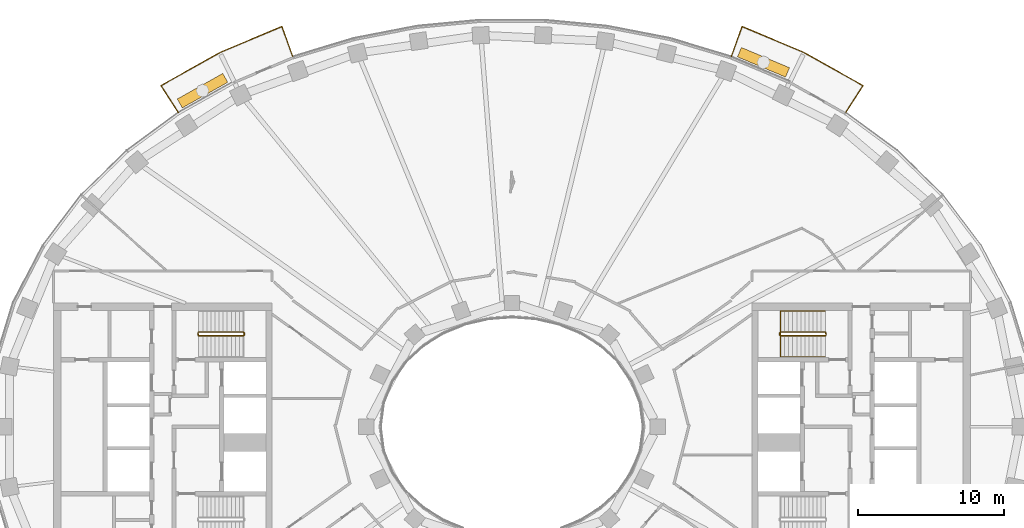
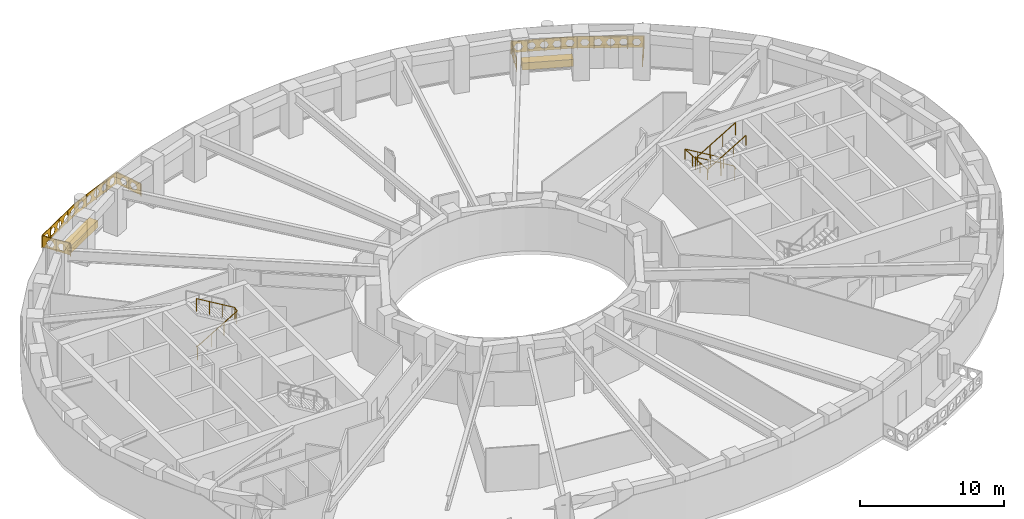
# One storey, part 14 of 15: 5 railings, 2 coverings.
"""IFC4 building model written with IfcOpenShell, lengths in metres."""

import ifcopenshell
import ifcopenshell.guid

model = None  # the IFC model being written
_history = None  # IfcOwnerHistory: only IFC2X3 demands one
_inside = {}  # id of a spatial element -> (the spatial element, [elements in it])
_under = {}  # id of a project, library or spatial element -> (it, [spatial elements below it])
_declared = {}  # id of a project -> (the project, [libraries it declares])
_typed = {}  # id of a type object -> (the type object, [elements of that type])
_made_of = {}  # id of a material, layer set ... -> (it, [elements and type objects made of it])


def new_model(schema):
    """Start an empty IFC model of exactly this schema.

    Asked for "IFC4X3", IfcOpenShell would pick the latest addendum, in which some entities
    have other attributes; the version numbers below select the first issue.
    IFC2X3 requires an IfcOwnerHistory on every rooted entity: one is made here for all.
    """
    global model, _history
    if schema == "IFC4X3":
        model = ifcopenshell.file(schema_version=(4, 3, 0, 0))
    else:
        model = ifcopenshell.file(schema=schema)
    _inside.clear()
    _under.clear()
    _declared.clear()
    _typed.clear()
    _made_of.clear()
    _history = None
    if model.schema == "IFC2X3":
        org = make("IfcOrganization", Name="unknown")
        user = make(
            "IfcPersonAndOrganization",
            ThePerson=make("IfcPerson", FamilyName="unknown"),
            TheOrganization=org,
        )
        app = make(
            "IfcApplication",
            ApplicationDeveloper=org,
            Version="unknown",
            ApplicationFullName="unknown",
            ApplicationIdentifier="unknown",
        )
        _history = make(
            "IfcOwnerHistory",
            OwningUser=user,
            OwningApplication=app,
            ChangeAction="ADDED",
            CreationDate=0,
        )
    return model


def make(cls, **values):
    """One entity of the class cls with the attributes given. An attribute that is None is left unset."""
    return model.create_entity(
        cls, **{name: value for name, value in values.items() if value is not None}
    )


def rooted(cls, **values):
    """An entity with a GlobalId (a new one), such as an element, a storey or a relation."""
    return make(cls, GlobalId=ifcopenshell.guid.new(), OwnerHistory=_history, **values)


def si_unit(unit_type, name, prefix=None):
    """IfcSIUnit, for example si_unit("LENGTHUNIT", "METRE", prefix="MILLI")."""
    return make("IfcSIUnit", UnitType=unit_type, Prefix=prefix, Name=name)


def assignment(units):
    """IfcUnitAssignment: the units of a project."""
    return None if units is None else make("IfcUnitAssignment", Units=units)


def point(xyz):
    """IfcCartesianPoint."""
    return None if xyz is None else make("IfcCartesianPoint", Coordinates=xyz)


def direction(xyz):
    """IfcDirection."""
    return None if xyz is None else make("IfcDirection", DirectionRatios=xyz)


def frame(location, z_axis=None, x_axis=None):
    """IfcAxis2Placement3D, a coordinate frame: its origin and axes. An axis left out is left unset."""
    return make(
        "IfcAxis2Placement3D",
        Location=point(location),
        Axis=direction(z_axis),
        RefDirection=direction(x_axis),
    )


def frame_2d(location, x_axis=None):
    """IfcAxis2Placement2D, a coordinate frame in the plane: its origin and x axis."""
    return make(
        "IfcAxis2Placement2D", Location=point(location), RefDirection=direction(x_axis)
    )


def origin():
    """The frame at (0, 0, 0) with its axes left unset."""
    return frame((0.0, 0.0, 0.0))


def origin_2d():
    """The frame at (0, 0) in the plane with its x axis left unset."""
    return frame_2d((0.0, 0.0))


def place(relative_to, where):
    """IfcLocalPlacement: puts the frame where relative to a parent placement (None: the world)."""
    return make(
        "IfcLocalPlacement", PlacementRelTo=relative_to, RelativePlacement=where
    )


def context(
    kind, dimensions, precision=None, world=None, true_north=None, identifier=None
):
    """IfcGeometricRepresentationContext, for example the 3D "Model" context."""
    return make(
        "IfcGeometricRepresentationContext",
        ContextIdentifier=identifier,
        ContextType=kind,
        CoordinateSpaceDimension=dimensions,
        Precision=precision,
        WorldCoordinateSystem=world,
        TrueNorth=true_north,
    )


def subcontext(parent, identifier, kind, view, scale=None):
    """IfcGeometricRepresentationSubContext, for example "Body" below "Model"."""
    return make(
        "IfcGeometricRepresentationSubContext",
        ContextIdentifier=identifier,
        ContextType=kind,
        ParentContext=parent,
        TargetScale=scale,
        TargetView=view,
    )


def project(units=None, contexts=None):
    """IfcProject with its units and contexts."""
    return rooted(
        "IfcProject",
        Name="project",
        RepresentationContexts=contexts,
        UnitsInContext=assignment(units),
    )


def spatial(cls, under=None, at=None, **own):
    """A site, building, storey or space (cls), placed at a placement, below another one or the project."""
    s = rooted(cls, ObjectPlacement=at, **own)
    if under is not None:
        _under.setdefault(under.id(), (under, []))[1].append(s)
    return s


def polyline(points):
    """IfcPolyline through the points."""
    return make("IfcPolyline", Points=[point(p) for p in points])


def profile(cls, at=None, kind="AREA", **sizes):
    """A parametric profile (cls). Its sizes go by their IFC names, for example OverallWidth=200.0."""
    return make(cls, ProfileType=kind, Position=at, **sizes)


def rectangle(**sizes):
    """IfcRectangleProfileDef."""
    return profile("IfcRectangleProfileDef", **sizes)


def outline(outer, holes=None, kind="AREA"):
    """IfcArbitraryClosedProfileDef: a profile drawn as a closed curve; with holes, ...WithVoids."""
    if holes is None:
        return make("IfcArbitraryClosedProfileDef", ProfileType=kind, OuterCurve=outer)
    return make(
        "IfcArbitraryProfileDefWithVoids",
        ProfileType=kind,
        OuterCurve=outer,
        InnerCurves=holes,
    )


def extrude(swept, where, along, depth):
    """IfcExtrudedAreaSolid: the profile swept, set in the frame where, extruded along a direction by depth."""
    return make(
        "IfcExtrudedAreaSolid",
        SweptArea=swept,
        Position=where,
        ExtrudedDirection=direction(along),
        Depth=depth,
    )


def shape(context_of_items, identifier, shape_type, items):
    """IfcShapeRepresentation: the items that make up one representation, for example the "Body"."""
    return make(
        "IfcShapeRepresentation",
        ContextOfItems=context_of_items,
        RepresentationIdentifier=identifier,
        RepresentationType=shape_type,
        Items=items,
    )


def material(Name=None, Category=None):
    """IfcMaterial."""
    return make("IfcMaterial", Name=Name, Category=Category)


def made_of(thing, what):
    """Note that an element or type object is made of a material, layer set ...; save() writes the relation."""
    if what is not None:
        _made_of.setdefault(what.id(), (what, []))[1].append(thing)
    return thing


def type_object(cls, material=None, **own):
    """A type object (cls), such as IfcWallType, which elements share."""
    return made_of(rooted(cls, **own), material)


def element(
    cls,
    number,
    at=None,
    inside=None,
    cuts=None,
    type_object=None,
    material=None,
    context=None,
    identifier="Body",
    shape_type=None,
    held_by="IfcProductDefinitionShape",
    body=None,
    shapes=None,
    **own,
):
    """One element of the class cls, such as IfcWall. Its Tag is "e" and its number.

    at: its placement. inside: the storey or other place that contains it. cuts: it is an
    opening in that element (IfcRelVoidsElement). A single representation is given by context,
    identifier, shape_type and body (its items); several are given by shapes. held_by: the class
    of the entity that holds the representations. save() writes the other relations.
    """
    e = rooted(cls, Tag="e%d" % number, ObjectPlacement=at, **own)
    if body is not None:
        shapes = [shape(context, identifier, shape_type, body)]
    if shapes is not None:
        e.Representation = make(held_by, Representations=shapes)
    if inside is not None:
        _inside.setdefault(inside.id(), (inside, []))[1].append(e)
    if cuts is not None:
        rooted(
            "IfcRelVoidsElement", RelatingBuildingElement=cuts, RelatedOpeningElement=e
        )
    if type_object is not None:
        _typed.setdefault(type_object.id(), (type_object, []))[1].append(e)
    return made_of(e, material)


def aggregate(whole, parts):
    """IfcRelAggregates: a whole, such as a stair, and the parts it consists of."""
    return rooted("IfcRelAggregates", RelatingObject=whole, RelatedObjects=parts)


def save(model, path):
    """Write the relations noted so far, then the file.

    IfcRelAggregates (storeys below a building ...), IfcRelContainedInSpatialStructure (elements
    in a storey), IfcRelDefinesByType, IfcRelAssociatesMaterial and IfcRelDeclares: one each for
    every whole, place, type object, material and project.
    """
    for whole, parts in _under.values():
        aggregate(whole, parts)
    for where, things in _inside.values():
        rooted(
            "IfcRelContainedInSpatialStructure",
            RelatedElements=things,
            RelatingStructure=where,
        )
    for kind, things in _typed.values():
        rooted("IfcRelDefinesByType", RelatedObjects=things, RelatingType=kind)
    for what, things in _made_of.values():
        rooted("IfcRelAssociatesMaterial", RelatedObjects=things, RelatingMaterial=what)
    for by, libraries in _declared.values():
        rooted("IfcRelDeclares", RelatingContext=by, RelatedDefinitions=libraries)
    model.write(path)


model = new_model("IFC4")

# Units and contexts
model_context = context("Model", 3, precision=1e-05, world=origin(), true_north=direction((0.0, 1.0)))
body_context = subcontext(model_context, "Body", "Model", "MODEL_VIEW")
ifc_project = project(units=[si_unit("LENGTHUNIT", "METRE"), si_unit("AREAUNIT", "SQUARE_METRE"), si_unit("VOLUMEUNIT", "CUBIC_METRE"), si_unit("PLANEANGLEUNIT", "RADIAN"), si_unit("MASSUNIT", "GRAM", prefix="KILO")], contexts=[model_context])

# Site, building, storey
site_placement = place(None, origin())
site = spatial("IfcSite", under=ifc_project, at=site_placement, CompositionType="ELEMENT")
building_placement = place(site_placement, origin())
building = spatial("IfcBuilding", under=site, at=building_placement, Name="Noorbagh Ring Tower", CompositionType="ELEMENT")
storey_placement = place(building_placement, frame((0.0, 0.0, 182.0)))
storey = spatial("IfcBuildingStorey", under=building, at=storey_placement, Name="L42", CompositionType="ELEMENT", Elevation=182.0)

# Railings
ifc_material_1 = material(Name="Stainless steel", Category="steel")
railing_type_1 = type_object("IfcRailingType", Name="CORE-STAIR-GUARD", PredefinedType="GUARDRAIL", material=ifc_material_1)
railing_1_placement = place(storey_placement, frame((-21.580078125, 6.300048828125, 0.0)))
element("IfcRailing", 1, at=railing_1_placement, inside=storey, type_object=railing_type_1, Name="L42 ST1 stair guard", PredefinedType="GUARDRAIL", context=body_context, shape_type="SweptSolid", body=[
    extrude(rectangle(XDim=0.048095703125, YDim=0.048095703125, at=origin_2d()), frame((0.0, 0.0, 1.076171875), z_axis=(0.0, 1.0, 0.0), x_axis=(-1.0, 0.0, 0.0)), (0.0, 0.0, 1.0), 0.14990234375),
    extrude(rectangle(XDim=0.048095703125, YDim=0.048095703125, at=origin_2d()), frame((0.0, 0.14990234375, 1.076171875), z_axis=(0.188775798145, -0.754182335027, 0.628945707965), x_axis=(0.970072785993, 0.242814311512, 0.0)), (0.0, 0.0, 1.0), 0.26513671875),
    extrude(rectangle(XDim=0.048095703125, YDim=0.048095703125, at=origin_2d()), frame((0.050048828125, -0.050048828125, 1.24267578125), z_axis=(0.859308565015, 0.0, 0.511457515432), x_axis=(0.0, 1.0, 0.0)), (0.0, 0.0, 1.0), 3.58447265625),
    extrude(rectangle(XDim=0.048095703125, YDim=0.048095703125, at=origin_2d()), frame((3.130126953125, -0.050048828125, 3.076171875), z_axis=(0.707106781187, 0.707106781187, 0.0), x_axis=(-0.707106781187, 0.707106781187, 0.0)), (0.0, 0.0, 1.0), 0.07080078125),
    extrude(rectangle(XDim=0.048095703125, YDim=0.048095703125, at=origin_2d()), frame((3.18017578125, 0.0, 3.076171875), z_axis=(0.0, 1.0, 0.0), x_axis=(-1.0, 0.0, 0.0)), (0.0, 0.0, 1.0), 0.14990234375),
    extrude(rectangle(XDim=0.048095703125, YDim=0.048095703125, at=origin_2d()), frame((3.18017578125, 0.14990234375, 3.076171875), z_axis=(-0.27628659633, 0.27628659633, 0.920506074601), x_axis=(-0.707106781187, -0.707106781187, 0.0)), (0.0, 0.0, 1.0), 0.18115234375),
    extrude(rectangle(XDim=0.048095703125, YDim=0.048095703125, at=origin_2d()), frame((3.130126953125, 0.199951171875, 3.24267578125), z_axis=(-0.859308565015, 0.0, 0.511457515432), x_axis=(0.0, -1.0, 0.0)), (0.0, 0.0, 1.0), 3.58447265625),
    extrude(rectangle(XDim=0.0419921875, YDim=0.0419921875, at=origin_2d()), origin(), (0.0, 0.0, 1.0), 1.052001953125),
    extrude(rectangle(XDim=0.0419921875, YDim=0.0419921875, at=origin_2d()), frame((1.07666015625, -0.050048828125, 0.77783203125)), (0.0, 0.0, 1.0), 1.052001953125),
    extrude(rectangle(XDim=0.0419921875, YDim=0.0419921875, at=origin_2d()), frame((2.103515625, -0.050048828125, 1.388916015625)), (0.0, 0.0, 1.0), 1.052001953125),
    extrude(rectangle(XDim=0.0419921875, YDim=0.0419921875, at=origin_2d()), frame((3.130126953125, -0.050048828125, 2.0)), (0.0, 0.0, 1.0), 1.052001953125),
    extrude(rectangle(XDim=0.0419921875, YDim=0.0419921875, at=origin_2d()), frame((3.130126953125, 0.199951171875, 2.166748046875)), (0.0, 0.0, 1.0), 1.052001953125),
    extrude(rectangle(XDim=0.0419921875, YDim=0.0419921875, at=origin_2d()), frame((2.103515625, 0.199951171875, 2.77783203125)), (0.0, 0.0, 1.0), 1.052001953125),
    extrude(rectangle(XDim=0.0419921875, YDim=0.0419921875, at=origin_2d()), frame((1.07666015625, 0.199951171875, 3.388916015625)), (0.0, 0.0, 1.0), 1.052001953125),
    extrude(rectangle(XDim=0.0419921875, YDim=0.0419921875, at=origin_2d()), frame((0.050048828125, 0.199951171875, 4.0)), (0.0, 0.0, 1.0), 1.052001953125),
])
railing_2_placement = place(storey_placement, frame((21.580078125, 6.449951171875, 0.0)))
element("IfcRailing", 2, at=railing_2_placement, inside=storey, type_object=railing_type_1, Name="L42 ST3 stair guard", PredefinedType="GUARDRAIL", context=body_context, shape_type="SweptSolid", body=[
    extrude(rectangle(XDim=0.048095703125, YDim=0.048095703125, at=origin_2d()), frame((0.0, 0.0, 1.076171875), z_axis=(0.0, -1.0, 0.0), x_axis=(1.0, 0.0, 0.0)), (0.0, 0.0, 1.0), 0.14990234375),
    extrude(rectangle(XDim=0.048095703125, YDim=0.048095703125, at=origin_2d()), frame((0.0, -0.14990234375, 1.076171875), z_axis=(-0.188775798145, 0.754182335027, 0.628945707965), x_axis=(-0.970072785993, -0.242814311512, 0.0)), (0.0, 0.0, 1.0), 0.26513671875),
    extrude(rectangle(XDim=0.048095703125, YDim=0.048095703125, at=origin_2d()), frame((-0.050048828125, 0.050048828125, 1.24267578125), z_axis=(-0.859308565015, 0.0, 0.511457515432), x_axis=(0.0, -1.0, 0.0)), (0.0, 0.0, 1.0), 3.58447265625),
    extrude(rectangle(XDim=0.048095703125, YDim=0.048095703125, at=origin_2d()), frame((-3.130126953125, 0.050048828125, 3.076171875), z_axis=(-0.707106781187, -0.707106781187, 0.0), x_axis=(0.707106781187, -0.707106781187, 0.0)), (0.0, 0.0, 1.0), 0.07080078125),
    extrude(rectangle(XDim=0.048095703125, YDim=0.048095703125, at=origin_2d()), frame((-3.18017578125, 0.0, 3.076171875), z_axis=(0.0, -1.0, 0.0), x_axis=(1.0, 0.0, 0.0)), (0.0, 0.0, 1.0), 0.14990234375),
    extrude(rectangle(XDim=0.048095703125, YDim=0.048095703125, at=origin_2d()), frame((-3.18017578125, -0.14990234375, 3.076171875), z_axis=(0.27628659633, -0.27628659633, 0.920506074601), x_axis=(0.707106781187, 0.707106781187, 0.0)), (0.0, 0.0, 1.0), 0.18115234375),
    extrude(rectangle(XDim=0.048095703125, YDim=0.048095703125, at=origin_2d()), frame((-3.130126953125, -0.199951171875, 3.24267578125), z_axis=(0.859308565015, 0.0, 0.511457515432), x_axis=(0.0, 1.0, 0.0)), (0.0, 0.0, 1.0), 3.58447265625),
    extrude(rectangle(XDim=0.0419921875, YDim=0.0419921875, at=origin_2d()), origin(), (0.0, 0.0, 1.0), 1.052001953125),
    extrude(rectangle(XDim=0.0419921875, YDim=0.0419921875, at=origin_2d()), frame((-1.07666015625, 0.050048828125, 0.77783203125)), (0.0, 0.0, 1.0), 1.052001953125),
    extrude(rectangle(XDim=0.0419921875, YDim=0.0419921875, at=origin_2d()), frame((-2.103515625, 0.050048828125, 1.388916015625)), (0.0, 0.0, 1.0), 1.052001953125),
    extrude(rectangle(XDim=0.0419921875, YDim=0.0419921875, at=origin_2d()), frame((-3.130126953125, 0.050048828125, 2.0)), (0.0, 0.0, 1.0), 1.052001953125),
    extrude(rectangle(XDim=0.0419921875, YDim=0.0419921875, at=origin_2d()), frame((-3.130126953125, -0.199951171875, 2.166748046875)), (0.0, 0.0, 1.0), 1.052001953125),
    extrude(rectangle(XDim=0.0419921875, YDim=0.0419921875, at=origin_2d()), frame((-2.103515625, -0.199951171875, 2.77783203125)), (0.0, 0.0, 1.0), 1.052001953125),
    extrude(rectangle(XDim=0.0419921875, YDim=0.0419921875, at=origin_2d()), frame((-1.07666015625, -0.199951171875, 3.388916015625)), (0.0, 0.0, 1.0), 1.052001953125),
    extrude(rectangle(XDim=0.0419921875, YDim=0.0419921875, at=origin_2d()), frame((-0.050048828125, -0.199951171875, 4.0)), (0.0, 0.0, 1.0), 1.052001953125),
])
ifc_material_2 = material(Name="Stainless steel", Category="steel")
railing_type_2 = type_object("IfcRailingType", Name="CORE-STAIR-HANDRAIL", PredefinedType="HANDRAIL", material=ifc_material_2)
railing_3_placement = place(storey_placement, frame((21.530029296875, 7.949951171875, 0.166748046875)))
element("IfcRailing", 3, at=railing_3_placement, inside=storey, type_object=railing_type_2, Name="L42 ST3 stair handrail", PredefinedType="HANDRAIL", context=body_context, shape_type="SweptSolid", body=[
    extrude(rectangle(XDim=0.048095703125, YDim=0.048095703125, at=origin_2d()), frame((0.0, 0.0, 0.8759765625), z_axis=(-0.859308565015, 0.0, 0.511457515432), x_axis=(0.0, -1.0, 0.0)), (0.0, 0.0, 1.0), 3.58447265625),
    extrude(rectangle(XDim=0.048095703125, YDim=0.048095703125, at=origin_2d()), frame((-3.080078125, 0.0, 2.708984375), z_axis=(0.0, -0.998601747152, 0.052863509014), x_axis=(1.0, 0.0, 0.0)), (0.0, 0.0, 1.0), 3.154296875),
    extrude(rectangle(XDim=0.048095703125, YDim=0.048095703125, at=origin_2d()), frame((-3.080078125, -3.14990234375, 2.8759765625), z_axis=(0.859308565015, 0.0, 0.511457515432), x_axis=(0.0, 1.0, 0.0)), (0.0, 0.0, 1.0), 3.58447265625),
    extrude(rectangle(XDim=0.0419921875, YDim=0.0419921875, at=origin_2d()), origin(), (0.0, 0.0, 1.0), 0.851806640625),
    extrude(rectangle(XDim=0.0419921875, YDim=0.0419921875, at=origin_2d()), frame((-1.026611328125, 0.0, 0.611083984375)), (0.0, 0.0, 1.0), 0.851806640625),
    extrude(rectangle(XDim=0.0419921875, YDim=0.0419921875, at=origin_2d()), frame((-2.053466796875, 0.0, 1.22216796875)), (0.0, 0.0, 1.0), 0.851806640625),
    extrude(rectangle(XDim=0.0419921875, YDim=0.0419921875, at=origin_2d()), frame((-3.080078125, 0.0, 1.833251953125)), (0.0, 0.0, 1.0), 0.851806640625),
    extrude(rectangle(XDim=0.0419921875, YDim=0.0419921875, at=origin_2d()), frame((-3.080078125, -1.050048828125, 1.888916015625)), (0.0, 0.0, 1.0), 0.851806640625),
    extrude(rectangle(XDim=0.0419921875, YDim=0.0419921875, at=origin_2d()), frame((-3.080078125, -2.099853515625, 1.9443359375)), (0.0, 0.0, 1.0), 0.851806640625),
    extrude(rectangle(XDim=0.0419921875, YDim=0.0419921875, at=origin_2d()), frame((-3.080078125, -3.14990234375, 2.0)), (0.0, 0.0, 1.0), 0.851806640625),
    extrude(rectangle(XDim=0.0419921875, YDim=0.0419921875, at=origin_2d()), frame((-2.053466796875, -3.14990234375, 2.611083984375)), (0.0, 0.0, 1.0), 0.851806640625),
    extrude(rectangle(XDim=0.0419921875, YDim=0.0419921875, at=origin_2d()), frame((-1.026611328125, -3.14990234375, 3.22216796875)), (0.0, 0.0, 1.0), 0.851806640625),
    extrude(rectangle(XDim=0.0419921875, YDim=0.0419921875, at=origin_2d()), frame((0.0, -3.14990234375, 3.833251953125)), (0.0, 0.0, 1.0), 0.851806640625),
])
ifc_material_3 = material(Name="Steel S275 black powder-coated", Category="steel")
railing_type_3 = type_object("IfcRailingType", Name="ENV-GUARD", PredefinedType="GUARDRAIL", material=ifc_material_3)
railing_4_placement = place(storey_placement, frame((22.9326171875, 21.583740234375, 0.0)))
element("IfcRailing", 4, at=railing_4_placement, inside=storey, type_object=railing_type_3, Name="Balcony guard BN02", PredefinedType="GUARDRAIL", context=body_context, shape_type="SweptSolid", body=[
    extrude(rectangle(XDim=0.048095703125, YDim=0.048095703125, at=origin_2d()), frame((0.0, 0.0, 1.076171875), z_axis=(0.542268136821, 0.840205491406, 0.0), x_axis=(-0.840205491406, 0.542268136821, 0.0)), (0.0, 0.0, 1.0), 2.204345703125),
    extrude(rectangle(XDim=0.048095703125, YDim=0.048095703125, at=origin_2d()), frame((1.1953125, 1.85205078125, 1.076171875), z_axis=(-0.872052247658, 0.489412788303, 0.0), x_axis=(-0.489412788303, -0.872052247658, 0.0)), (0.0, 0.0, 1.0), 4.646240234375),
    extrude(rectangle(XDim=0.048095703125, YDim=0.048095703125, at=origin_2d()), frame((-2.8564453125, 4.1259765625, 1.076171875), z_axis=(-0.921809087722, 0.387644174203, 0.0), x_axis=(-0.387644174203, -0.921809087722, 0.0)), (0.0, 0.0, 1.0), 4.627197265625),
    extrude(rectangle(XDim=0.048095703125, YDim=0.048095703125, at=origin_2d()), frame((-7.121826171875, 5.919677734375, 1.076171875), z_axis=(-0.338350546839, -0.941020141896, 0.0), x_axis=(0.941020141896, -0.338350546839, 0.0)), (0.0, 0.0, 1.0), 2.202880859375),
    extrude(rectangle(XDim=0.0419921875, YDim=0.0419921875, at=origin_2d()), origin(), (0.0, 0.0, 1.0), 1.052001953125),
    extrude(rectangle(XDim=0.0419921875, YDim=0.0419921875, at=origin_2d()), frame((0.59765625, 0.926025390625, 0.0)), (0.0, 0.0, 1.0), 1.052001953125),
    extrude(rectangle(XDim=0.0419921875, YDim=0.0419921875, at=origin_2d()), frame((1.1953125, 1.85205078125, 0.0)), (0.0, 0.0, 1.0), 1.052001953125),
    extrude(rectangle(XDim=0.0419921875, YDim=0.0419921875, at=origin_2d()), frame((0.182373046875, 2.42041015625, 0.0)), (0.0, 0.0, 1.0), 1.052001953125),
    extrude(rectangle(XDim=0.0419921875, YDim=0.0419921875, at=origin_2d()), frame((-0.83056640625, 2.989013671875, 0.0)), (0.0, 0.0, 1.0), 1.052001953125),
    extrude(rectangle(XDim=0.0419921875, YDim=0.0419921875, at=origin_2d()), frame((-1.843505859375, 3.5576171875, 0.0)), (0.0, 0.0, 1.0), 1.052001953125),
    extrude(rectangle(XDim=0.0419921875, YDim=0.0419921875, at=origin_2d()), frame((-2.8564453125, 4.1259765625, 0.0)), (0.0, 0.0, 1.0), 1.052001953125),
    extrude(rectangle(XDim=0.0419921875, YDim=0.0419921875, at=origin_2d()), frame((-3.9228515625, 4.574462890625, 0.0)), (0.0, 0.0, 1.0), 1.052001953125),
    extrude(rectangle(XDim=0.0419921875, YDim=0.0419921875, at=origin_2d()), frame((-4.9892578125, 5.02294921875, 0.0)), (0.0, 0.0, 1.0), 1.052001953125),
    extrude(rectangle(XDim=0.0419921875, YDim=0.0419921875, at=origin_2d()), frame((-6.055419921875, 5.47119140625, 0.0)), (0.0, 0.0, 1.0), 1.052001953125),
    extrude(rectangle(XDim=0.0419921875, YDim=0.0419921875, at=origin_2d()), frame((-7.121826171875, 5.919677734375, 0.0)), (0.0, 0.0, 1.0), 1.052001953125),
    extrude(rectangle(XDim=0.0419921875, YDim=0.0419921875, at=origin_2d()), frame((-7.49462890625, 4.88330078125, 0.0)), (0.0, 0.0, 1.0), 1.052001953125),
    extrude(rectangle(XDim=0.0419921875, YDim=0.0419921875, at=origin_2d()), frame((-7.8671875, 3.8466796875, 0.0)), (0.0, 0.0, 1.0), 1.052001953125),
    extrude(outline(polyline([(0.0, 0.10009765625), (2.204345703125, 0.10009765625), (2.204345703125, 1.031982421875), (0.0, 1.031982421875), (0.0, 0.10009765625)]), holes=[polyline([(0.962158203125, 0.56591796875), (0.80712890625, 0.83447265625), (0.4970703125, 0.83447265625), (0.342041015625, 0.56591796875), (0.4970703125, 0.297607421875), (0.80712890625, 0.297607421875), (0.962158203125, 0.56591796875)]), polyline([(1.862060546875, 0.56591796875), (1.70703125, 0.83447265625), (1.397216796875, 0.83447265625), (1.2421875, 0.56591796875), (1.397216796875, 0.297607421875), (1.70703125, 0.297607421875), (1.862060546875, 0.56591796875)])]), frame((-0.00830078125, 0.00537109375, 0.0), z_axis=(0.840205491406, -0.542268136821, 0.0), x_axis=(0.542268136821, 0.840205491406, 0.0)), (0.0, 0.0, 1.0), 0.02001953125),
    extrude(outline(polyline([(0.0, 0.10009765625), (4.646240234375, 0.10009765625), (4.646240234375, 1.031982421875), (0.0, 1.031982421875), (0.0, 0.10009765625)]), holes=[polyline([(0.8330078125, 0.56591796875), (0.67822265625, 0.83447265625), (0.3681640625, 0.83447265625), (0.213134765625, 0.56591796875), (0.3681640625, 0.297607421875), (0.67822265625, 0.297607421875), (0.8330078125, 0.56591796875)]), polyline([(1.733154296875, 0.56591796875), (1.578125, 0.83447265625), (1.26806640625, 0.83447265625), (1.113037109375, 0.56591796875), (1.26806640625, 0.297607421875), (1.578125, 0.297607421875), (1.733154296875, 0.56591796875)]), polyline([(2.633056640625, 0.56591796875), (2.47802734375, 0.83447265625), (2.168212890625, 0.83447265625), (2.01318359375, 0.56591796875), (2.168212890625, 0.297607421875), (2.47802734375, 0.297607421875), (2.633056640625, 0.56591796875)]), polyline([(3.533203125, 0.56591796875), (3.378173828125, 0.83447265625), (3.068115234375, 0.83447265625), (2.9130859375, 0.56591796875), (3.068115234375, 0.297607421875), (3.378173828125, 0.297607421875), (3.533203125, 0.56591796875)]), polyline([(4.43310546875, 0.56591796875), (4.278076171875, 0.83447265625), (3.968017578125, 0.83447265625), (3.813232421875, 0.56591796875), (3.968017578125, 0.297607421875), (4.278076171875, 0.297607421875), (4.43310546875, 0.56591796875)])]), frame((1.1904296875, 1.84326171875, 0.0), z_axis=(0.489412788303, 0.872052247658, 0.0), x_axis=(-0.872052247658, 0.489412788303, 0.0)), (0.0, 0.0, 1.0), 0.02001953125),
    extrude(outline(polyline([(0.0, 0.10009765625), (4.627197265625, 0.10009765625), (4.627197265625, 1.031982421875), (0.0, 1.031982421875), (0.0, 0.10009765625)]), holes=[polyline([(0.823486328125, 0.56591796875), (0.668701171875, 0.83447265625), (0.358642578125, 0.83447265625), (0.20361328125, 0.56591796875), (0.358642578125, 0.297607421875), (0.668701171875, 0.297607421875), (0.823486328125, 0.56591796875)]), polyline([(1.7236328125, 0.56591796875), (1.568603515625, 0.83447265625), (1.258544921875, 0.83447265625), (1.103515625, 0.56591796875), (1.258544921875, 0.297607421875), (1.568603515625, 0.297607421875), (1.7236328125, 0.56591796875)]), polyline([(2.62353515625, 0.56591796875), (2.468505859375, 0.83447265625), (2.15869140625, 0.83447265625), (2.003662109375, 0.56591796875), (2.15869140625, 0.297607421875), (2.468505859375, 0.297607421875), (2.62353515625, 0.56591796875)]), polyline([(3.523681640625, 0.56591796875), (3.36865234375, 0.83447265625), (3.05859375, 0.83447265625), (2.903564453125, 0.56591796875), (3.05859375, 0.297607421875), (3.36865234375, 0.297607421875), (3.523681640625, 0.56591796875)]), polyline([(4.423583984375, 0.56591796875), (4.2685546875, 0.83447265625), (3.95849609375, 0.83447265625), (3.8037109375, 0.56591796875), (3.95849609375, 0.297607421875), (4.2685546875, 0.297607421875), (4.423583984375, 0.56591796875)])]), frame((-2.8603515625, 4.11669921875, 0.0), z_axis=(0.387644174203, 0.921809087722, 0.0), x_axis=(-0.921809087722, 0.387644174203, 0.0)), (0.0, 0.0, 1.0), 0.02001953125),
    extrude(outline(polyline([(0.0, 0.10009765625), (2.202880859375, 0.10009765625), (2.202880859375, 1.031982421875), (0.0, 1.031982421875), (0.0, 0.10009765625)]), holes=[polyline([(0.96142578125, 0.56591796875), (0.806396484375, 0.83447265625), (0.49658203125, 0.83447265625), (0.341552734375, 0.56591796875), (0.49658203125, 0.297607421875), (0.806396484375, 0.297607421875), (0.96142578125, 0.56591796875)]), polyline([(1.861572265625, 0.56591796875), (1.70654296875, 0.83447265625), (1.396484375, 0.83447265625), (1.241455078125, 0.56591796875), (1.396484375, 0.297607421875), (1.70654296875, 0.297607421875), (1.861572265625, 0.56591796875)])]), frame((-7.1123046875, 5.916259765625, 0.0), z_axis=(-0.941020141896, 0.338350546839, 0.0), x_axis=(-0.338350546839, -0.941020141896, 0.0)), (0.0, 0.0, 1.0), 0.02001953125),
])
railing_5_placement = place(storey_placement, frame((-15.0654296875, 25.430419921875, 0.0)))
element("IfcRailing", 5, at=railing_5_placement, inside=storey, type_object=railing_type_3, Name="Balcony guard BN05", PredefinedType="GUARDRAIL", context=body_context, shape_type="SweptSolid", body=[
    extrude(rectangle(XDim=0.048095703125, YDim=0.048095703125, at=origin_2d()), frame((0.0, 0.0, 1.076171875), z_axis=(-0.338350546839, 0.941020141896, 0.0), x_axis=(-0.941020141896, -0.338350546839, 0.0)), (0.0, 0.0, 1.0), 2.202880859375),
    extrude(rectangle(XDim=0.048095703125, YDim=0.048095703125, at=origin_2d()), frame((-0.745361328125, 2.072998046875, 1.076171875), z_axis=(-0.921809087722, -0.387644174203, 0.0), x_axis=(0.387644174203, -0.921809087722, 0.0)), (0.0, 0.0, 1.0), 4.627197265625),
    extrude(rectangle(XDim=0.048095703125, YDim=0.048095703125, at=origin_2d()), frame((-5.0107421875, 0.279296875, 1.076171875), z_axis=(-0.872052247658, -0.489412788303, 0.0), x_axis=(0.489412788303, -0.872052247658, 0.0)), (0.0, 0.0, 1.0), 4.646240234375),
    extrude(rectangle(XDim=0.048095703125, YDim=0.048095703125, at=origin_2d()), frame((-9.0625, -1.99462890625, 1.076171875), z_axis=(0.542268136821, -0.840205491406, 0.0), x_axis=(0.840205491406, 0.542268136821, 0.0)), (0.0, 0.0, 1.0), 2.204345703125),
    extrude(rectangle(XDim=0.0419921875, YDim=0.0419921875, at=origin_2d()), origin(), (0.0, 0.0, 1.0), 1.052001953125),
    extrude(rectangle(XDim=0.0419921875, YDim=0.0419921875, at=origin_2d()), frame((-0.37255859375, 1.03662109375, 0.0)), (0.0, 0.0, 1.0), 1.052001953125),
    extrude(rectangle(XDim=0.0419921875, YDim=0.0419921875, at=origin_2d()), frame((-0.745361328125, 2.072998046875, 0.0)), (0.0, 0.0, 1.0), 1.052001953125),
    extrude(rectangle(XDim=0.0419921875, YDim=0.0419921875, at=origin_2d()), frame((-1.811767578125, 1.62451171875, 0.0)), (0.0, 0.0, 1.0), 1.052001953125),
    extrude(rectangle(XDim=0.0419921875, YDim=0.0419921875, at=origin_2d()), frame((-2.8779296875, 1.17626953125, 0.0)), (0.0, 0.0, 1.0), 1.052001953125),
    extrude(rectangle(XDim=0.0419921875, YDim=0.0419921875, at=origin_2d()), frame((-3.9443359375, 0.727783203125, 0.0)), (0.0, 0.0, 1.0), 1.052001953125),
    extrude(rectangle(XDim=0.0419921875, YDim=0.0419921875, at=origin_2d()), frame((-5.0107421875, 0.279296875, 0.0)), (0.0, 0.0, 1.0), 1.052001953125),
    extrude(rectangle(XDim=0.0419921875, YDim=0.0419921875, at=origin_2d()), frame((-6.023681640625, -0.2890625, 0.0)), (0.0, 0.0, 1.0), 1.052001953125),
    extrude(rectangle(XDim=0.0419921875, YDim=0.0419921875, at=origin_2d()), frame((-7.03662109375, -0.857666015625, 0.0)), (0.0, 0.0, 1.0), 1.052001953125),
    extrude(rectangle(XDim=0.0419921875, YDim=0.0419921875, at=origin_2d()), frame((-8.049560546875, -1.42626953125, 0.0)), (0.0, 0.0, 1.0), 1.052001953125),
    extrude(rectangle(XDim=0.0419921875, YDim=0.0419921875, at=origin_2d()), frame((-9.0625, -1.99462890625, 0.0)), (0.0, 0.0, 1.0), 1.052001953125),
    extrude(rectangle(XDim=0.0419921875, YDim=0.0419921875, at=origin_2d()), frame((-8.46484375, -2.920654296875, 0.0)), (0.0, 0.0, 1.0), 1.052001953125),
    extrude(rectangle(XDim=0.0419921875, YDim=0.0419921875, at=origin_2d()), frame((-7.8671875, -3.8466796875, 0.0)), (0.0, 0.0, 1.0), 1.052001953125),
    extrude(outline(polyline([(0.0, 0.10009765625), (2.202880859375, 0.10009765625), (2.202880859375, 1.031982421875), (0.0, 1.031982421875), (0.0, 0.10009765625)]), holes=[polyline([(0.96142578125, 0.56591796875), (0.806396484375, 0.83447265625), (0.49658203125, 0.83447265625), (0.341552734375, 0.56591796875), (0.49658203125, 0.297607421875), (0.806396484375, 0.297607421875), (0.96142578125, 0.56591796875)]), polyline([(1.861572265625, 0.56591796875), (1.70654296875, 0.83447265625), (1.396484375, 0.83447265625), (1.241455078125, 0.56591796875), (1.396484375, 0.297607421875), (1.70654296875, 0.297607421875), (1.861572265625, 0.56591796875)])]), frame((-0.009521484375, -0.00341796875, 0.0), z_axis=(0.941020141896, 0.338350546839, 0.0), x_axis=(-0.338350546839, 0.941020141896, 0.0)), (0.0, 0.0, 1.0), 0.02001953125),
    extrude(outline(polyline([(0.0, 0.10009765625), (4.627197265625, 0.10009765625), (4.627197265625, 1.031982421875), (0.0, 1.031982421875), (0.0, 0.10009765625)]), holes=[polyline([(0.823486328125, 0.56591796875), (0.668701171875, 0.83447265625), (0.358642578125, 0.83447265625), (0.20361328125, 0.56591796875), (0.358642578125, 0.297607421875), (0.668701171875, 0.297607421875), (0.823486328125, 0.56591796875)]), polyline([(1.7236328125, 0.56591796875), (1.568603515625, 0.83447265625), (1.258544921875, 0.83447265625), (1.103515625, 0.56591796875), (1.258544921875, 0.297607421875), (1.568603515625, 0.297607421875), (1.7236328125, 0.56591796875)]), polyline([(2.62353515625, 0.56591796875), (2.468505859375, 0.83447265625), (2.15869140625, 0.83447265625), (2.003662109375, 0.56591796875), (2.15869140625, 0.297607421875), (2.468505859375, 0.297607421875), (2.62353515625, 0.56591796875)]), polyline([(3.523681640625, 0.56591796875), (3.36865234375, 0.83447265625), (3.05859375, 0.83447265625), (2.903564453125, 0.56591796875), (3.05859375, 0.297607421875), (3.36865234375, 0.297607421875), (3.523681640625, 0.56591796875)]), polyline([(4.423583984375, 0.56591796875), (4.2685546875, 0.83447265625), (3.95849609375, 0.83447265625), (3.8037109375, 0.56591796875), (3.95849609375, 0.297607421875), (4.2685546875, 0.297607421875), (4.423583984375, 0.56591796875)])]), frame((-0.741455078125, 2.063720703125, 0.0), z_axis=(-0.387644174203, 0.921809087722, 0.0), x_axis=(-0.921809087722, -0.387644174203, 0.0)), (0.0, 0.0, 1.0), 0.02001953125),
    extrude(outline(polyline([(0.0, 0.10009765625), (4.646240234375, 0.10009765625), (4.646240234375, 1.031982421875), (0.0, 1.031982421875), (0.0, 0.10009765625)]), holes=[polyline([(0.8330078125, 0.56591796875), (0.67822265625, 0.83447265625), (0.3681640625, 0.83447265625), (0.213134765625, 0.56591796875), (0.3681640625, 0.297607421875), (0.67822265625, 0.297607421875), (0.8330078125, 0.56591796875)]), polyline([(1.733154296875, 0.56591796875), (1.578125, 0.83447265625), (1.26806640625, 0.83447265625), (1.113037109375, 0.56591796875), (1.26806640625, 0.297607421875), (1.578125, 0.297607421875), (1.733154296875, 0.56591796875)]), polyline([(2.633056640625, 0.56591796875), (2.47802734375, 0.83447265625), (2.168212890625, 0.83447265625), (2.01318359375, 0.56591796875), (2.168212890625, 0.297607421875), (2.47802734375, 0.297607421875), (2.633056640625, 0.56591796875)]), polyline([(3.533203125, 0.56591796875), (3.378173828125, 0.83447265625), (3.068115234375, 0.83447265625), (2.9130859375, 0.56591796875), (3.068115234375, 0.297607421875), (3.378173828125, 0.297607421875), (3.533203125, 0.56591796875)]), polyline([(4.43310546875, 0.56591796875), (4.278076171875, 0.83447265625), (3.968017578125, 0.83447265625), (3.813232421875, 0.56591796875), (3.968017578125, 0.297607421875), (4.278076171875, 0.297607421875), (4.43310546875, 0.56591796875)])]), frame((-5.005859375, 0.2705078125, 0.0), z_axis=(-0.489412788303, 0.872052247658, 0.0), x_axis=(-0.872052247658, -0.489412788303, 0.0)), (0.0, 0.0, 1.0), 0.02001953125),
    extrude(outline(polyline([(0.0, 0.10009765625), (2.204345703125, 0.10009765625), (2.204345703125, 1.031982421875), (0.0, 1.031982421875), (0.0, 0.10009765625)]), holes=[polyline([(0.962158203125, 0.56591796875), (0.80712890625, 0.83447265625), (0.4970703125, 0.83447265625), (0.342041015625, 0.56591796875), (0.4970703125, 0.297607421875), (0.80712890625, 0.297607421875), (0.962158203125, 0.56591796875)]), polyline([(1.862060546875, 0.56591796875), (1.70703125, 0.83447265625), (1.397216796875, 0.83447265625), (1.2421875, 0.56591796875), (1.397216796875, 0.297607421875), (1.70703125, 0.297607421875), (1.862060546875, 0.56591796875)])]), frame((-9.05419921875, -1.9892578125, 0.0), z_axis=(-0.840205491406, -0.542268136821, 0.0), x_axis=(0.542268136821, -0.840205491406, 0.0)), (0.0, 0.0, 1.0), 0.02001953125),
])

# Coverings
ifc_material_4 = material(Name="Concrete C30/37 planter with soil", Category="concrete")
covering_type = type_object("IfcCoveringType", Name="ENV-PLANTER", PredefinedType="CLADDING", material=ifc_material_4)
covering_1_placement = place(storey_placement, frame((17.280517578125, 25.041259765625, 0.0), z_axis=(0.0, 0.0, 1.0), x_axis=(-0.921811566494, 0.387638279686, 0.0)))
element("IfcCovering", 6, at=covering_1_placement, inside=storey, type_object=covering_type, Name="PLANTER BN02", ObjectType="PLANTER", PredefinedType="CLADDING", context=body_context, shape_type="SweptSolid", body=[
    extrude(rectangle(XDim=3.5859375, YDim=0.699951171875, at=origin_2d()), origin(), (0.0, 0.0, 1.0), 0.60009765625),
])
covering_2_placement = place(storey_placement, frame((-21.26513671875, 23.093017578125, 0.0), z_axis=(0.0, 0.0, 1.0), x_axis=(-0.872044586249, -0.48942643941, 0.0)))
element("IfcCovering", 7, at=covering_2_placement, inside=storey, type_object=covering_type, Name="PLANTER BN05", ObjectType="PLANTER", PredefinedType="CLADDING", context=body_context, shape_type="SweptSolid", body=[
    extrude(rectangle(XDim=3.58544921875, YDim=0.699951171875, at=origin_2d()), origin(), (0.0, 0.0, 1.0), 0.60009765625),
])

save(model, "model.ifc")
